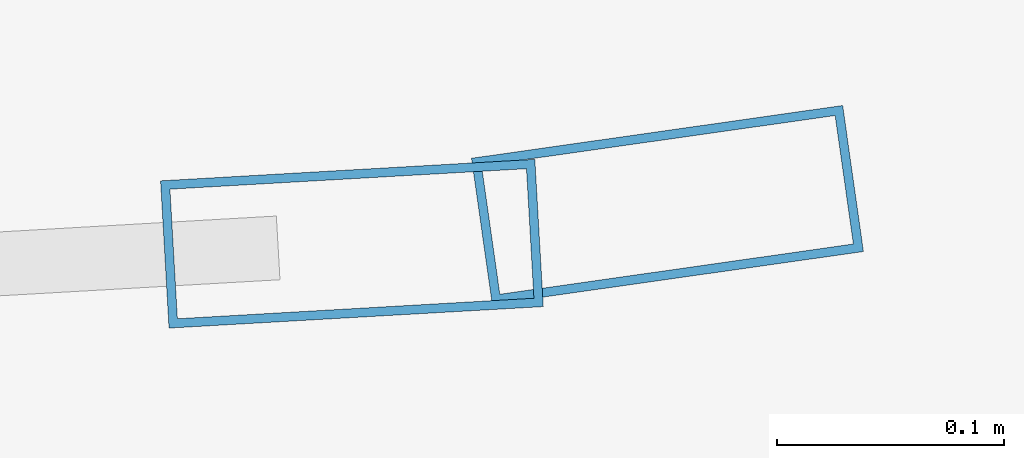
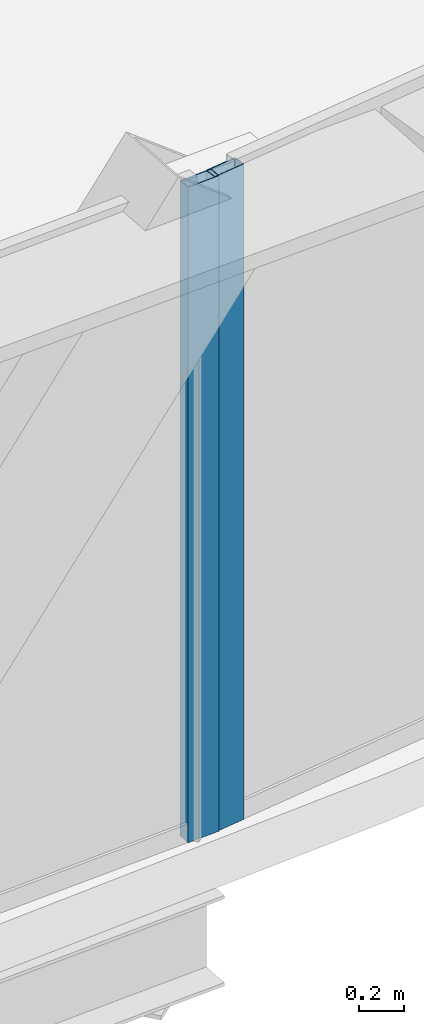
# One storey, part 12 of 39: 2 members, 2 elements without a shape of their own.
"""IFC4 building model written with IfcOpenShell, lengths in metres."""

from ifc_helpers import new_model, si_unit, direction, frame, origin, origin_2d, place, context, subcontext, project, spatial, hollow_rectangle, extrude, source, transform, mapped, material, layer, layer_set, material_profile, profile_set, type_object, element, aggregate, save


model = new_model("IFC4")

# Units and contexts
model_context = context("Model", 3, precision=1e-05, world=origin(), true_north=direction((0.0, 1.0)))
body_context = subcontext(model_context, "Body", "Model", "MODEL_VIEW")
ifc_project = project(units=[si_unit("LENGTHUNIT", "METRE"), si_unit("AREAUNIT", "SQUARE_METRE"), si_unit("VOLUMEUNIT", "CUBIC_METRE"), si_unit("PLANEANGLEUNIT", "RADIAN"), si_unit("MASSUNIT", "GRAM", prefix="KILO"), si_unit("THERMODYNAMICTEMPERATUREUNIT", "KELVIN"), si_unit("POWERUNIT", "WATT")], contexts=[model_context])

# Site, building, storey
site_placement = place(None, origin())
site = spatial("IfcSite", under=ifc_project, at=site_placement, CompositionType="ELEMENT")
building_placement = place(site_placement, origin())
building = spatial("IfcBuilding", under=site, at=building_placement, Name="Yunzhuo Pagoda Commons", CompositionType="ELEMENT")
storey_placement = place(building_placement, frame((0.0, 0.0, 92.580078125)))
storey = spatial("IfcBuildingStorey", under=building, at=storey_placement, Name="L23", CompositionType="ELEMENT", Elevation=92.580078125)

# Curtain wall, member
ifc_material = material(Name="Anodized aluminium 6063-T6", Category="aluminium")
ifc_layer = layer(ifc_material, 0.1650390625)
ifc_layer_set = layer_set([ifc_layer], Name="Anodized aluminium 6063-T6")
curtain_wall_type = type_object("IfcCurtainWallType", Name="CW-LOW Low-Zone Ribbon Curtain Wall", PredefinedType="NOTDEFINED", material=ifc_layer_set)
curtain_wall_1_placement = place(storey_placement, origin())
curtain_wall_1 = element("IfcCurtainWall", 1, at=curtain_wall_1_placement, inside=storey, type_object=curtain_wall_type, Name="L23 curtain wall CW-L23-F1B4", PredefinedType="NOTDEFINED")
ifc_material_profile = material_profile(ifc_material, hollow_rectangle(XDim=0.06494140625, YDim=0.1650390625, WallThickness=0.00390625, at=origin_2d()), Name="Anodized aluminium 6063-T6")
ifc_profile_set = profile_set([ifc_material_profile], Name="Anodized aluminium 6063-T6")
member_type = type_object("IfcMemberType", Name="CW-LOW-M Mullion RHS 165x65x4", PredefinedType="MULLION", material=ifc_profile_set)
shared_shape = source(origin(), body_context, "Body", "SweptSolid", [
    extrude(hollow_rectangle(XDim=0.06494140625, YDim=0.1650390625, WallThickness=0.00390625, at=origin_2d()), origin(), (0.0, 0.0, 1.0), 3.5400390625),
])
member_1_placement = place(storey_placement, frame((65.717041015625, 12.545166015625, 0.0), z_axis=(0.0, 0.0, 1.0), x_axis=(-0.057299493103, 0.998357034377, 0.0)))
member_1 = element("IfcMember", 2, at=member_1_placement, type_object=member_type, Name="CW mullion 2", PredefinedType="MULLION", context=body_context, shape_type="MappedRepresentation", body=[
    mapped(shared_shape, transform((0.0, 0.0, 0.0), scale=1.0)),
])
aggregate(curtain_wall_1, [member_1])

curtain_wall_2_placement = place(storey_placement, origin())
curtain_wall_2 = element("IfcCurtainWall", 3, at=curtain_wall_2_placement, inside=storey, type_object=curtain_wall_type, Name="L23 curtain wall CW-L23-F1B5", PredefinedType="NOTDEFINED")
member_2_placement = place(storey_placement, frame((65.85595703125, 12.562255859375, 0.0), z_axis=(0.0, 0.0, 1.0), x_axis=(-0.140773671614, 0.990041803855, 0.0)))
member_2 = element("IfcMember", 4, at=member_2_placement, type_object=member_type, Name="CW mullion 1", PredefinedType="MULLION", context=body_context, shape_type="MappedRepresentation", body=[
    mapped(shared_shape, transform((0.0, 0.0, 0.0), scale=1.0)),
])
aggregate(curtain_wall_2, [member_2])

save(model, "model.ifc")
